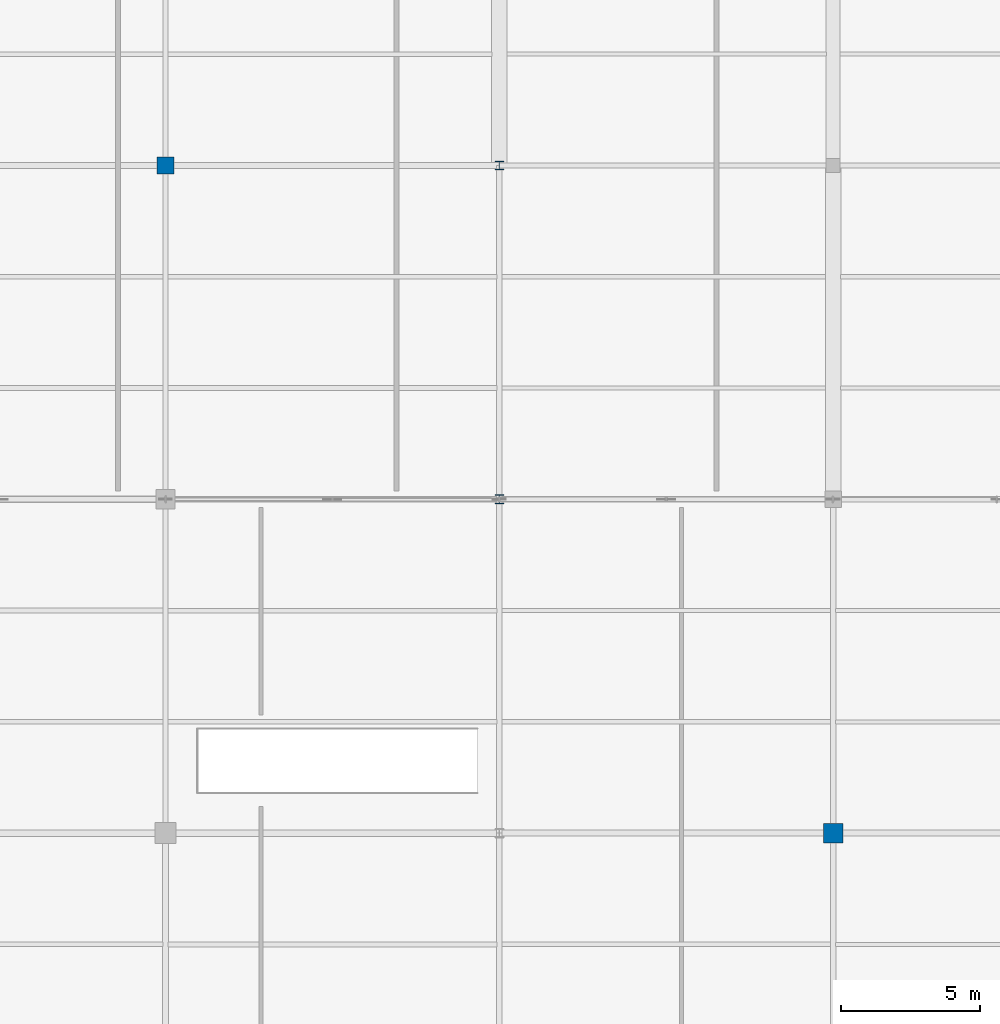
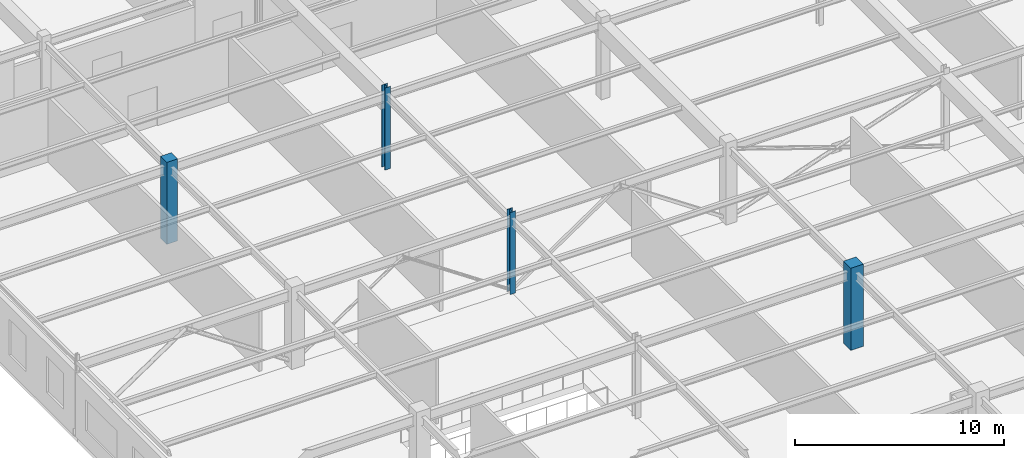
# One storey, part 7 of 199: 4 columns.
"""IFC4 building model written with IfcOpenShell, lengths in metres."""

from ifc_helpers import new_model, si_unit, direction, frame, origin, origin_2d, place, context, subcontext, project, spatial, rectangle, i_section, extrude, material, material_profile, profile_set, type_object, element, save


model = new_model("IFC4")

# Units and contexts
model_context = context("Model", 3, precision=1e-05, world=origin(), true_north=direction((0.0, 1.0)))
body_context = subcontext(model_context, "Body", "Model", "MODEL_VIEW")
ifc_project = project(units=[si_unit("LENGTHUNIT", "METRE"), si_unit("AREAUNIT", "SQUARE_METRE"), si_unit("VOLUMEUNIT", "CUBIC_METRE"), si_unit("PLANEANGLEUNIT", "RADIAN"), si_unit("MASSUNIT", "GRAM", prefix="KILO")], contexts=[model_context])

# Site, building, storey
site_placement = place(None, origin())
site = spatial("IfcSite", under=ifc_project, at=site_placement, CompositionType="ELEMENT")
building_placement = place(site_placement, origin())
building = spatial("IfcBuilding", under=site, at=building_placement, Name="Tarnwether General Hospital", CompositionType="ELEMENT")
storey_placement = place(building_placement, origin())
storey = spatial("IfcBuildingStorey", under=building, at=storey_placement, Name="L00", CompositionType="ELEMENT", Elevation=0.0)

# Columns
ifc_material_1 = material(Name="Steel Grade 350 (350 MPa)", Category="steel")
ifc_material_profile_1 = material_profile(ifc_material_1, i_section(OverallWidth=0.306884765625, OverallDepth=0.31494140625, WebThickness=0.011962890625, FlangeThickness=0.018798828125, at=origin_2d()), Name="310UC118")
ifc_profile_set_1 = profile_set([ifc_material_profile_1], Name="Steel Grade 350 (350 MPa)")
column_type_1 = type_object("IfcColumnType", Name="COL-07", PredefinedType="COLUMN", material=ifc_profile_set_1)
column_1_placement = place(storey_placement, frame((24.0, 45.60009765625, 0.0), z_axis=(0.0, 0.0, 1.0), x_axis=(1.0, 0.0, 0.0)))
element("IfcColumn", 1, at=column_1_placement, inside=storey, type_object=column_type_1, Name="Column COLG-L00-2400_4560", PredefinedType="COLUMN", context=body_context, shape_type="SweptSolid", body=[
    extrude(i_section(OverallWidth=0.306884765625, OverallDepth=0.31494140625, WebThickness=0.011962890625, FlangeThickness=0.018798828125, at=origin_2d()), origin(), (0.0, 0.0, 1.0), 4.800048828125),
])
ifc_material_2 = material(Name="Steel Grade 350 (350 MPa)", Category="steel")
ifc_material_profile_2 = material_profile(ifc_material_2, i_section(OverallWidth=0.304931640625, OverallDepth=0.30810546875, WebThickness=0.010009765625, FlangeThickness=0.015380859375, at=origin_2d()), Name="310UC96.8")
ifc_profile_set_2 = profile_set([ifc_material_profile_2], Name="Steel Grade 350 (350 MPa)")
column_type_2 = type_object("IfcColumnType", Name="COL-08", PredefinedType="COLUMN", material=ifc_profile_set_2)
column_2_placement = place(storey_placement, frame((24.0, 57.60009765625, 0.0), z_axis=(0.0, 0.0, 1.0), x_axis=(1.0, 0.0, 0.0)))
element("IfcColumn", 2, at=column_2_placement, inside=storey, type_object=column_type_2, Name="Column COLG-L00-2400_5760", PredefinedType="COLUMN", context=body_context, shape_type="SweptSolid", body=[
    extrude(i_section(OverallWidth=0.304931640625, OverallDepth=0.30810546875, WebThickness=0.010009765625, FlangeThickness=0.015380859375, at=origin_2d()), origin(), (0.0, 0.0, 1.0), 4.800048828125),
])
ifc_material_3 = material(Name="Concrete 50 MPa", Category="concrete")
ifc_material_profile_3 = material_profile(ifc_material_3, rectangle(XDim=0.699951171875, YDim=0.699951171875, at=origin_2d()), Name="RC-COL-700x700")
ifc_profile_set_3 = profile_set([ifc_material_profile_3], Name="Concrete 50 MPa")
column_type_3 = type_object("IfcColumnType", Name="COL-18", PredefinedType="COLUMN", material=ifc_profile_set_3)
column_3_placement = place(storey_placement, frame((36.0, 33.60009765625, 0.0), z_axis=(0.0, 0.0, 1.0), x_axis=(0.0, 1.0, 0.0)))
element("IfcColumn", 3, at=column_3_placement, inside=storey, type_object=column_type_3, Name="Column COLG-L00-3600_3360", PredefinedType="COLUMN", context=body_context, shape_type="SweptSolid", body=[
    extrude(rectangle(XDim=0.699951171875, YDim=0.699951171875, at=origin_2d()), origin(), (0.0, 0.0, 1.0), 4.800048828125),
])
ifc_material_4 = material(Name="Concrete 50 MPa", Category="concrete")
ifc_material_profile_4 = material_profile(ifc_material_4, rectangle(XDim=0.60009765625, YDim=0.60009765625, at=origin_2d()), Name="RC-COL-600x600")
ifc_profile_set_4 = profile_set([ifc_material_profile_4], Name="Concrete 50 MPa")
column_type_4 = type_object("IfcColumnType", Name="COL-19", PredefinedType="COLUMN", material=ifc_profile_set_4)
column_4_placement = place(storey_placement, frame((12.0, 57.60009765625, 0.0), z_axis=(0.0, 0.0, 1.0), x_axis=(0.0, 1.0, 0.0)))
element("IfcColumn", 4, at=column_4_placement, inside=storey, type_object=column_type_4, Name="Column COLG-L00-1200_5760", PredefinedType="COLUMN", context=body_context, shape_type="SweptSolid", body=[
    extrude(rectangle(XDim=0.60009765625, YDim=0.60009765625, at=origin_2d()), origin(), (0.0, 0.0, 1.0), 4.800048828125),
])

save(model, "model.ifc")
